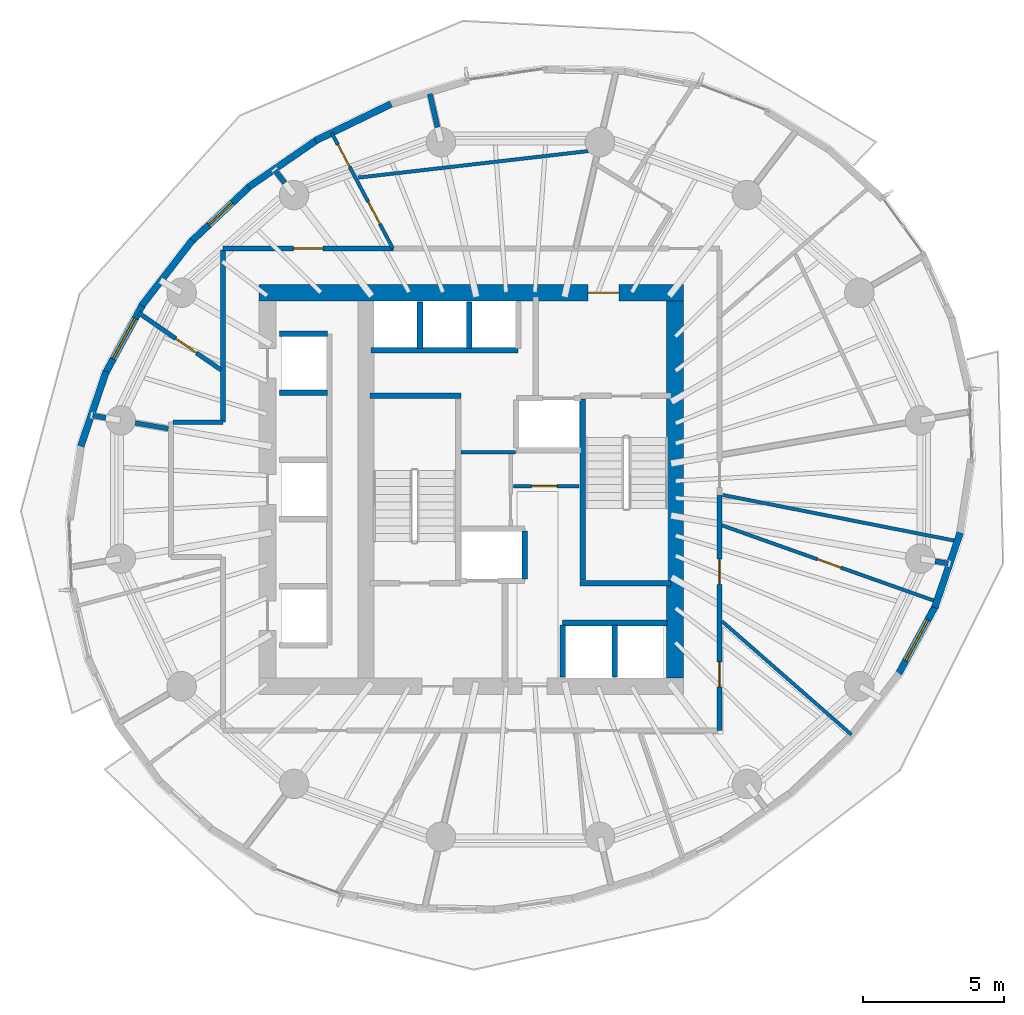
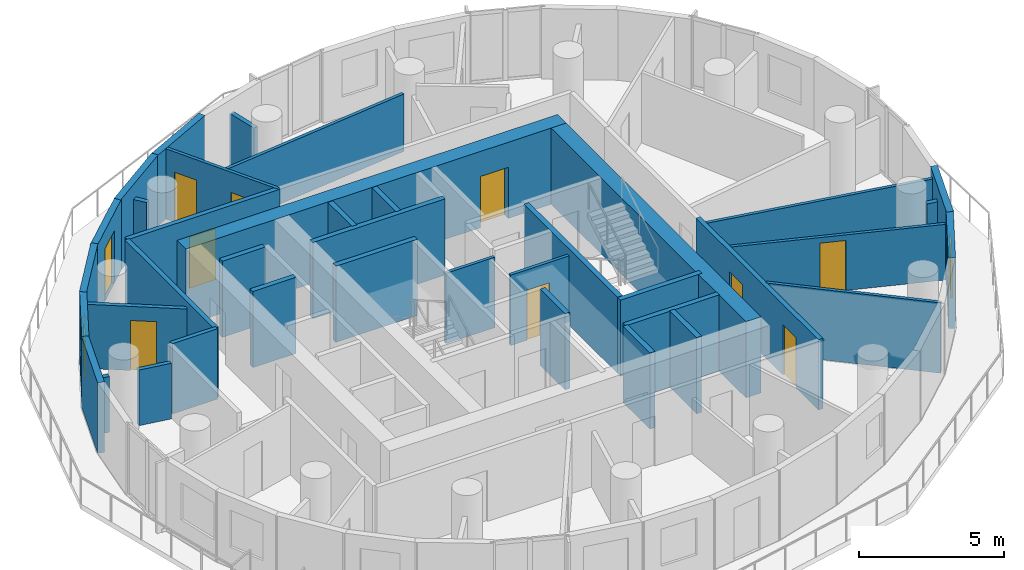
# One storey, part 7 of 14: 39 walls, 10 doors, 2 windows, 12 openings.
"""IFC4 building model written with IfcOpenShell, lengths in metres."""

from ifc_helpers import new_model, si_unit, direction, frame, frame_2d, origin, place, context, subcontext, project, spatial, rectangle, extrude, material, layer, layer_set, type_object, element, fill, save


model = new_model("IFC4")

# Units and contexts
model_context = context("Model", 3, precision=1e-05, world=origin(), true_north=direction((0.0, 1.0)))
body_context = subcontext(model_context, "Body", "Model", "MODEL_VIEW")
ifc_project = project(units=[si_unit("LENGTHUNIT", "METRE"), si_unit("AREAUNIT", "SQUARE_METRE"), si_unit("VOLUMEUNIT", "CUBIC_METRE"), si_unit("PLANEANGLEUNIT", "RADIAN"), si_unit("MASSUNIT", "GRAM", prefix="KILO")], contexts=[model_context])

# Site, building, storey
site_placement = place(None, origin())
site = spatial("IfcSite", under=ifc_project, at=site_placement, CompositionType="ELEMENT")
building_placement = place(site_placement, origin())
building = spatial("IfcBuilding", under=site, at=building_placement, Name="Veldorim Arch Residences", CompositionType="ELEMENT")
storey_placement = place(building_placement, frame((0.0, 0.0, 129.760009765625)))
storey = spatial("IfcBuildingStorey", under=building, at=storey_placement, Name="L38", CompositionType="ELEMENT", Elevation=129.760009765625)

# Wall, opening, door
ifc_material_1 = material(Name="Acoustic Gypsum Board", Category="gypsum")
ifc_layer_1 = layer(ifc_material_1, 0.125, Name="Acoustic Stud Room Partition Wall 125")
ifc_layer_set_1 = layer_set([ifc_layer_1], Name="Acoustic Gypsum Board")
wall_type_1 = type_object("IfcWallType", Name="Acoustic Stud Room Partition Wall 125", PredefinedType="PARTITIONING", material=ifc_layer_set_1)
wall_1_placement = place(storey_placement, frame((31.760009765625, 24.1201171875, 0.0), z_axis=(0.0, 0.0, 1.0), x_axis=(1.0, 0.0, 0.0)))
wall_1 = element("IfcWall", 1, at=wall_1_placement, inside=storey, type_object=wall_type_1, Name="L38 interior wall WL-CA-L38-2", PredefinedType="PARTITIONING", context=body_context, shape_type="SweptSolid", body=[
    extrude(rectangle(XDim=2.320068359375, YDim=0.125, at=frame_2d((1.16015625, 0.0))), origin(), (0.0, 0.0, 1.0), 2.955078125),
])
opening_1_placement = place(wall_1_placement, frame((0.639892578125, 0.0, 0.0)))
opening_1 = element("IfcOpeningElement", 2, at=opening_1_placement, cuts=wall_1, Name="Opening DR-SVC", PredefinedType="OPENING", context=body_context, shape_type="SweptSolid", body=[
    extrude(rectangle(XDim=0.89990234375, YDim=2.10009765625, at=frame_2d((0.449951171875, 1.050048828125))), frame((0.0, 0.072509765625, 0.0), z_axis=(0.0, -1.0, 0.0), x_axis=(1.0, 0.0, 0.0)), (0.0, 0.0, 1.0), 0.14501953125),
])
ifc_material_2 = material(Name="Fire-Rated Steel", Category="steel")
door_type_1 = type_object("IfcDoorType", Name="Riser, Shelter & Plant Room Rated Steel Door 900x2100", OperationType="SINGLE_SWING_LEFT", PredefinedType="DOOR", material=ifc_material_2)
door_1_placement = place(opening_1_placement, origin())
door_1 = element("IfcDoor", 3, at=door_1_placement, inside=storey, type_object=door_type_1, Name="L38 interior door DR-L38-CA2", OperationType="SINGLE_SWING_RIGHT", OverallHeight=2.10009765625, OverallWidth=0.89990234375, PredefinedType="DOOR", context=body_context, shape_type="SweptSolid", body=[
    extrude(rectangle(XDim=0.89990234375, YDim=2.10009765625, at=frame_2d((0.449951171875, 1.050048828125))), frame((0.0, 0.02490234375, 0.0), z_axis=(0.0, -1.0, 0.0), x_axis=(1.0, 0.0, 0.0)), (0.0, 0.0, 1.0), 0.050048828125),
])
fill(opening_1, door_1)

# Walls
wall_2_placement = place(storey_placement, frame((29.889892578125, 25.330078125, 0.0), z_axis=(0.0, 0.0, 1.0), x_axis=(1.0, 0.0, 0.0)))
element("IfcWall", 4, at=wall_2_placement, inside=storey, type_object=wall_type_1, Name="L38 interior wall WL-CA-L38-N", PredefinedType="PARTITIONING", context=body_context, shape_type="SweptSolid", body=[
    extrude(rectangle(XDim=1.940185546875, YDim=0.125, at=frame_2d((0.97021484375, 0.0))), origin(), (0.0, 0.0, 1.0), 2.955078125),
])
wall_3_placement = place(storey_placement, frame((43.77490234375, 15.27734375, 0.0), z_axis=(0.0, 0.0, 1.0), x_axis=(-0.752092313191, 0.659057776252, 0.0)))
element("IfcWall", 5, at=wall_3_placement, inside=storey, type_object=wall_type_1, Name="L38 interior wall WL-RES-L38-013", PredefinedType="PARTITIONING", context=body_context, shape_type="SweptSolid", body=[
    extrude(rectangle(XDim=6.122314453125, YDim=0.125, at=frame_2d((3.06103515625, 0.0))), origin(), (0.0, 0.0, 1.0), 2.955078125),
])

# Wall, opening, door
wall_4_placement = place(storey_placement, frame((39.17431640625, 22.723388671875, 0.0), z_axis=(0.0, 0.0, 1.0), x_axis=(0.942245152982, -0.334923978959, 0.0)))
wall_4 = element("IfcWall", 6, at=wall_4_placement, inside=storey, type_object=wall_type_1, Name="L38 interior wall WL-RES-L38-014", PredefinedType="PARTITIONING", context=body_context, shape_type="SweptSolid", body=[
    extrude(rectangle(XDim=8.09423828125, YDim=0.125, at=frame_2d((4.047119140625, 0.0))), origin(), (0.0, 0.0, 1.0), 2.335693359375),
])
opening_2_placement = place(wall_4_placement, frame((3.59716796875, 0.0, 0.0)))
opening_2 = element("IfcOpeningElement", 7, at=opening_2_placement, cuts=wall_4, Name="Opening DR-SVC", PredefinedType="OPENING", context=body_context, shape_type="SweptSolid", body=[
    extrude(rectangle(XDim=0.89990234375, YDim=2.10009765625, at=frame_2d((0.449951171875, 1.050048828125))), frame((0.0, 0.072509765625, 0.0), z_axis=(0.0, -1.0, 0.0), x_axis=(1.0, 0.0, 0.0)), (0.0, 0.0, 1.0), 0.14501953125),
])
door_2_placement = place(opening_2_placement, origin())
door_2 = element("IfcDoor", 8, at=door_2_placement, inside=storey, type_object=door_type_1, Name="L38 interior door DR-RES-L38-006", OperationType="SINGLE_SWING_RIGHT", OverallHeight=2.10009765625, OverallWidth=0.89990234375, PredefinedType="DOOR", context=body_context, shape_type="SweptSolid", body=[
    extrude(rectangle(XDim=0.89990234375, YDim=2.10009765625, at=frame_2d((0.449951171875, 1.050048828125))), frame((0.0, 0.02490234375, 0.0), z_axis=(0.0, -1.0, 0.0), x_axis=(1.0, 0.0, 0.0)), (0.0, 0.0, 1.0), 0.050048828125),
])
fill(opening_2, door_2)

# Wall
wall_5_placement = place(storey_placement, frame((47.53125, 22.163330078125, 0.0), z_axis=(0.0, 0.0, 1.0), x_axis=(-0.981139353497, 0.19330175638, 0.0)))
element("IfcWall", 9, at=wall_5_placement, inside=storey, type_object=wall_type_1, Name="L38 interior wall WL-RES-L38-018", PredefinedType="PARTITIONING", context=body_context, shape_type="SweptSolid", body=[
    extrude(rectangle(XDim=8.49365234375, YDim=0.125, at=frame_2d((4.246826171875, 0.0))), origin(), (0.0, 0.0, 1.0), 2.69189453125),
])

# Wall, openings, doors
wall_6_placement = place(storey_placement, frame((25.287353515625, 36.6796875, 0.0), z_axis=(0.0, 0.0, 1.0), x_axis=(0.467870793746, -0.88379687732, 0.0)))
wall_6 = element("IfcWall", 10, at=wall_6_placement, inside=storey, type_object=wall_type_1, Name="L38 interior wall WL-RES-L38-027", PredefinedType="PARTITIONING", context=body_context, shape_type="SweptSolid", body=[
    extrude(rectangle(XDim=4.638916015625, YDim=0.125, at=frame_2d((2.3193359375, 0.0))), origin(), (0.0, 0.0, 1.0), 2.955078125),
])
opening_3_placement = place(wall_6_placement, frame((0.462646484375, 0.0, 0.0)))
opening_3 = element("IfcOpeningElement", 11, at=opening_3_placement, cuts=wall_6, Name="Opening DR-INT", PredefinedType="OPENING", context=body_context, shape_type="SweptSolid", body=[
    extrude(rectangle(XDim=0.89990234375, YDim=2.10009765625, at=frame_2d((0.449951171875, 1.050048828125))), frame((0.0, 0.072509765625, 0.0), z_axis=(0.0, -1.0, 0.0), x_axis=(1.0, 0.0, 0.0)), (0.0, 0.0, 1.0), 0.14501953125),
])
opening_4_placement = place(wall_6_placement, frame((2.761474609375, 0.0, 0.0)))
opening_4 = element("IfcOpeningElement", 12, at=opening_4_placement, cuts=wall_6, Name="Opening DR-INT", PredefinedType="OPENING", context=body_context, shape_type="SweptSolid", body=[
    extrude(rectangle(XDim=0.89990234375, YDim=2.10009765625, at=frame_2d((0.449951171875, 1.050048828125))), frame((0.0, 0.072509765625, 0.0), z_axis=(0.0, -1.0, 0.0), x_axis=(1.0, 0.0, 0.0)), (0.0, 0.0, 1.0), 0.14501953125),
])
ifc_material_3 = material(Name="Engineered Timber", Category="wood")
door_type_2 = type_object("IfcDoorType", Name="Apartment Internal Room Timber Door 900x2100", OperationType="SINGLE_SWING_LEFT", PredefinedType="DOOR", material=ifc_material_3)
door_3_placement = place(opening_3_placement, origin())
door_3 = element("IfcDoor", 13, at=door_3_placement, inside=storey, type_object=door_type_2, Name="L38 interior door DR-RES-L38-014", OperationType="SINGLE_SWING_RIGHT", OverallHeight=2.10009765625, OverallWidth=0.89990234375, PredefinedType="DOOR", context=body_context, shape_type="SweptSolid", body=[
    extrude(rectangle(XDim=0.89990234375, YDim=2.10009765625, at=frame_2d((0.449951171875, 1.050048828125))), frame((0.0, 0.02490234375, 0.0), z_axis=(0.0, -1.0, 0.0), x_axis=(1.0, 0.0, 0.0)), (0.0, 0.0, 1.0), 0.050048828125),
])
fill(opening_3, door_3)
door_4_placement = place(opening_4_placement, origin())
door_4 = element("IfcDoor", 14, at=door_4_placement, inside=storey, type_object=door_type_2, Name="L38 interior door DR-RES-L38-015", OperationType="SINGLE_SWING_LEFT", OverallHeight=2.10009765625, OverallWidth=0.89990234375, PredefinedType="DOOR", context=body_context, shape_type="SweptSolid", body=[
    extrude(rectangle(XDim=0.89990234375, YDim=2.10009765625, at=frame_2d((0.449951171875, 1.050048828125))), frame((0.0, 0.02490234375, 0.0), z_axis=(0.0, -1.0, 0.0), x_axis=(1.0, 0.0, 0.0)), (0.0, 0.0, 1.0), 0.050048828125),
])
fill(opening_4, door_4)

# Walls
wall_7_placement = place(storey_placement, frame((34.405029296875, 36.041015625, 0.0), z_axis=(0.0, 0.0, 1.0), x_axis=(-0.993396455776, -0.114732217146, 0.0)))
element("IfcWall", 15, at=wall_7_placement, inside=storey, type_object=wall_type_1, Name="L38 interior wall WL-RES-L38-029", PredefinedType="PARTITIONING", context=body_context, shape_type="SweptSolid", body=[
    extrude(rectangle(XDim=8.228759765625, YDim=0.125, at=frame_2d((4.1142578125, 0.0))), origin(), (0.0, 0.0, 1.0), 2.411376953125),
])
ifc_material_4 = material(Name="Lightweight Masonry Block & Gypsum", Category="masonry")
ifc_layer_2 = layer(ifc_material_4, 0.179931640625, Name="Compartment & Corridor Fire-Rated Party Wall 180")
ifc_layer_set_2 = layer_set([ifc_layer_2], Name="Lightweight Masonry Block & Gypsum")
wall_type_2 = type_object("IfcWallType", Name="Compartment & Corridor Fire-Rated Party Wall 180", PredefinedType="PARTITIONING", material=ifc_layer_set_2)
wall_8_placement = place(storey_placement, frame((29.049560546875, 36.88916015625, 0.0), z_axis=(0.0, 0.0, 1.0), x_axis=(-0.223107064029, 0.974793946422, 0.0)))
element("IfcWall", 16, at=wall_8_placement, inside=storey, type_object=wall_type_2, Name="L38 interior wall WL-PIER-L38-05", PredefinedType="PARTITIONING", context=body_context, shape_type="SweptSolid", body=[
    extrude(rectangle(XDim=1.22119140625, YDim=0.179931640625, at=frame_2d((0.610595703125, 0.0))), origin(), (0.0, 0.0, 1.0), 2.335693359375),
])
wall_9_placement = place(storey_placement, frame((23.612060546875, 34.908447265625, 0.0), z_axis=(0.0, 0.0, 1.0), x_axis=(-0.609498830183, 0.792786967605, 0.0)))
element("IfcWall", 17, at=wall_9_placement, inside=storey, type_object=wall_type_2, Name="L38 interior wall WL-PIER-L38-06", PredefinedType="PARTITIONING", context=body_context, shape_type="SweptSolid", body=[
    extrude(rectangle(XDim=0.556884765625, YDim=0.179931640625, at=frame_2d((0.2783203125, 0.0))), origin(), (0.0, 0.0, 1.0), 2.335693359375),
])
for number, where, z_axis, x_axis, name in (
    (18, (17.24169921875, 26.55078125, 0.0), (0.0, 0.0, 1.0), (-0.985345448397, 0.170570651999, 0.0), "L38 interior wall WL-PIER-L38-08"),
    (19, (46.75830078125, 21.44921875, 0.0), (0.0, 0.0, 1.0), (0.985345448397, -0.170570651999, 0.0), "L38 interior wall WL-PIER-L38-16"),
):
    element("IfcWall", number, at=place(storey_placement, frame(where, z_axis=z_axis, x_axis=x_axis)), inside=storey, type_object=wall_type_2, Name=name, PredefinedType="PARTITIONING", context=body_context, shape_type="SweptSolid", body=[
        extrude(rectangle(XDim=0.468017578125, YDim=0.179931640625, at=frame_2d((0.23388671875, 0.0))), origin(), (0.0, 0.0, 1.0), 2.335693359375),
    ])

# Wall, openings, doors
wall_10_placement = place(storey_placement, frame((39.080078125, 23.848388671875, 0.0), z_axis=(0.0, 0.0, 1.0), x_axis=(0.0, -1.0, 0.0)))
wall_10 = element("IfcWall", 20, at=wall_10_placement, inside=storey, type_object=wall_type_2, Name="L38 interior wall WL-RES-L38-001", PredefinedType="PARTITIONING", context=body_context, shape_type="SweptSolid", body=[
    extrude(rectangle(XDim=8.428466796875, YDim=0.179931640625, at=frame_2d((4.21435546875, 0.0))), origin(), (0.0, 0.0, 1.0), 2.955078125),
])
opening_5_placement = place(wall_10_placement, frame((2.327392578125, 0.0, 0.0)))
opening_5 = element("IfcOpeningElement", 21, at=opening_5_placement, cuts=wall_10, Name="Opening DR-SVC", PredefinedType="OPENING", context=body_context, shape_type="SweptSolid", body=[
    extrude(rectangle(XDim=0.89990234375, YDim=2.10009765625, at=frame_2d((0.449951171875, 1.050048828125))), frame((0.0, 0.099853515625, 0.0), z_axis=(0.0, -1.0, 0.0), x_axis=(1.0, 0.0, 0.0)), (0.0, 0.0, 1.0), 0.199951171875),
])
opening_6_placement = place(wall_10_placement, frame((5.982666015625, 0.0, 0.0)))
opening_6 = element("IfcOpeningElement", 22, at=opening_6_placement, cuts=wall_10, Name="Opening DR-INT", PredefinedType="OPENING", context=body_context, shape_type="SweptSolid", body=[
    extrude(rectangle(XDim=0.89990234375, YDim=2.10009765625, at=frame_2d((0.449951171875, 1.050048828125))), frame((0.0, 0.099853515625, 0.0), z_axis=(0.0, -1.0, 0.0), x_axis=(1.0, 0.0, 0.0)), (0.0, 0.0, 1.0), 0.199951171875),
])
door_5_placement = place(opening_6_placement, origin())
door_5 = element("IfcDoor", 23, at=door_5_placement, inside=storey, type_object=door_type_2, Name="L38 interior door DR-RES-L38-002", OperationType="SINGLE_SWING_RIGHT", OverallHeight=2.10009765625, OverallWidth=0.89990234375, PredefinedType="DOOR", context=body_context, shape_type="SweptSolid", body=[
    extrude(rectangle(XDim=0.89990234375, YDim=2.10009765625, at=frame_2d((0.449951171875, 1.050048828125))), frame((0.0, 0.02490234375, 0.0), z_axis=(0.0, -1.0, 0.0), x_axis=(1.0, 0.0, 0.0)), (0.0, 0.0, 1.0), 0.050048828125),
])
fill(opening_6, door_5)
door_6_placement = place(opening_5_placement, origin())
door_6 = element("IfcDoor", 24, at=door_6_placement, inside=storey, type_object=door_type_1, Name="L38 interior door DR-RES-L38-001", OperationType="SINGLE_SWING_LEFT", OverallHeight=2.10009765625, OverallWidth=0.89990234375, PredefinedType="DOOR", context=body_context, shape_type="SweptSolid", body=[
    extrude(rectangle(XDim=0.89990234375, YDim=2.10009765625, at=frame_2d((0.449951171875, 1.050048828125))), frame((0.0, 0.02490234375, 0.0), z_axis=(0.0, -1.0, 0.0), x_axis=(1.0, 0.0, 0.0)), (0.0, 0.0, 1.0), 0.050048828125),
])
fill(opening_5, door_6)

# Wall, opening, door
wall_11_placement = place(storey_placement, frame((21.419921875, 32.580078125, 0.0), z_axis=(0.0, 0.0, 1.0), x_axis=(1.0, 0.0, 0.0)))
wall_11 = element("IfcWall", 25, at=wall_11_placement, inside=storey, type_object=wall_type_2, Name="L38 interior wall WL-RES-L38-006", PredefinedType="PARTITIONING", context=body_context, shape_type="SweptSolid", body=[
    extrude(rectangle(XDim=6.057861328125, YDim=0.179931640625, at=frame_2d((3.02880859375, 0.0))), origin(), (0.0, 0.0, 1.0), 2.955078125),
])
opening_7_placement = place(wall_11_placement, frame((2.50390625, 0.0, 0.0)))
opening_7 = element("IfcOpeningElement", 26, at=opening_7_placement, cuts=wall_11, Name="Opening DR-FLT", PredefinedType="OPENING", context=body_context, shape_type="SweptSolid", body=[
    extrude(rectangle(XDim=1.050048828125, YDim=2.14990234375, at=frame_2d((0.52490234375, 1.074951171875))), frame((0.0, 0.099853515625, 0.0), z_axis=(0.0, -1.0, 0.0), x_axis=(1.0, 0.0, 0.0)), (0.0, 0.0, 1.0), 0.199951171875),
])
ifc_material_5 = material(Name="Fire-Rated Timber", Category="wood")
door_type_3 = type_object("IfcDoorType", Name="Apartment Entrance Solid-Core Fire Door 1050x2150", OperationType="SINGLE_SWING_LEFT", PredefinedType="DOOR", material=ifc_material_5)
door_7_placement = place(opening_7_placement, origin())
door_7 = element("IfcDoor", 27, at=door_7_placement, inside=storey, type_object=door_type_3, Name="L38 interior door DR-RES-L38-012", OperationType="SINGLE_SWING_RIGHT", OverallHeight=2.14990234375, OverallWidth=1.050048828125, PredefinedType="DOOR", context=body_context, shape_type="SweptSolid", body=[
    extrude(rectangle(XDim=1.050048828125, YDim=2.14990234375, at=frame_2d((0.52490234375, 1.074951171875))), frame((0.0, 0.02490234375, 0.0), z_axis=(0.0, -1.0, 0.0), x_axis=(1.0, 0.0, 0.0)), (0.0, 0.0, 1.0), 0.050048828125),
])
fill(opening_7, door_7)

# Walls
wall_12_placement = place(storey_placement, frame((21.419921875, 26.39990234375, 0.0), z_axis=(0.0, 0.0, 1.0), x_axis=(0.0, 1.0, 0.0)))
element("IfcWall", 28, at=wall_12_placement, inside=storey, type_object=wall_type_2, Name="L38 interior wall WL-RES-L38-007", PredefinedType="PARTITIONING", context=body_context, shape_type="SweptSolid", body=[
    extrude(rectangle(XDim=6.1201171875, YDim=0.179931640625, at=frame_2d((3.06005859375, 0.0))), origin(), (0.0, 0.0, 1.0), 2.955078125),
])
ifc_material_6 = material(Name="Concrete C50/60", Category="concrete")
ifc_layer_3 = layer(ifc_material_6, 0.199951171875, Name="Core Stair & Lift Shaft Enclosure Wall 200")
ifc_layer_set_3 = layer_set([ifc_layer_3], Name="Concrete C50/60")
wall_type_3 = type_object("IfcWallType", Name="Core Stair & Lift Shaft Enclosure Wall 200", PredefinedType="SHEAR", material=ifc_layer_set_3)
wall_13_placement = place(storey_placement, frame((26.64990234375, 27.330078125, 0.0), z_axis=(0.0, 0.0, 1.0), x_axis=(1.0, 0.0, 0.0)))
element("IfcWall", 29, at=wall_13_placement, inside=storey, type_object=wall_type_3, Name="L38 shaft wall WL-SHF-L38-ST1-N", PredefinedType="SHEAR", context=body_context, shape_type="SweptSolid", body=[
    extrude(rectangle(XDim=3.239990234375, YDim=0.199951171875, at=frame_2d((1.6201171875, 0.0))), origin(), (0.0, 0.0, 1.0), 3.199951171875),
])
wall_14_placement = place(storey_placement, frame((34.2099609375, 20.780029296875, 0.0), z_axis=(0.0, 0.0, 1.0), x_axis=(0.0, 1.0, 0.0)))
element("IfcWall", 30, at=wall_14_placement, inside=storey, type_object=wall_type_3, Name="L38 shaft wall WL-SHF-L38-ST2-W", PredefinedType="SHEAR", context=body_context, shape_type="SweptSolid", body=[
    extrude(rectangle(XDim=6.43994140625, YDim=0.199951171875, at=frame_2d((3.219970703125, 0.0))), origin(), (0.0, 0.0, 1.0), 3.199951171875),
])
wall_15_placement = place(storey_placement, frame((34.110107421875, 20.669921875, 0.0), z_axis=(0.0, 0.0, 1.0), x_axis=(1.0, 0.0, 0.0)))
element("IfcWall", 31, at=wall_15_placement, inside=storey, type_object=wall_type_3, Name="L38 shaft wall WL-SHF-L38-ST2-S", PredefinedType="SHEAR", context=body_context, shape_type="SweptSolid", body=[
    extrude(rectangle(XDim=3.239990234375, YDim=0.199951171875, at=frame_2d((1.6201171875, 0.0))), origin(), (0.0, 0.0, 1.0), 3.199951171875),
])
for number, where, z_axis, x_axis, name in (
    (32, (32.14990234375, 20.820068359375, 0.0), (0.0, 0.0, 1.0), (0.0, 1.0, 0.0), "L38 shaft wall WL-FL01-L38-E"),
    (33, (23.419921875, 29.5400390625, 0.0), (0.0, 0.0, 1.0), (1.0, 0.0, 0.0), "L38 shaft wall WL-B2-L38-N"),
    (34, (23.419921875, 27.43994140625, 0.0), (0.0, 0.0, 1.0), (1.0, 0.0, 0.0), "L38 shaft wall WL-B2-L38-D2B"),
):
    element("IfcWall", number, at=place(storey_placement, frame(where, z_axis=z_axis, x_axis=x_axis)), inside=storey, type_object=wall_type_3, Name=name, PredefinedType="SHEAR", context=body_context, shape_type="SweptSolid", body=[
        extrude(rectangle(XDim=1.7099609375, YDim=0.199951171875, at=frame_2d((0.85498046875, 0.0))), origin(), (0.0, 0.0, 1.0), 3.199951171875),
    ])
wall_16_placement = place(storey_placement, frame((26.679931640625, 28.949951171875, 0.0), z_axis=(0.0, 0.0, 1.0), x_axis=(1.0, 0.0, 0.0)))
element("IfcWall", 35, at=wall_16_placement, inside=storey, type_object=wall_type_3, Name="L38 shaft wall WL-B3-L38-S", PredefinedType="SHEAR", context=body_context, shape_type="SweptSolid", body=[
    extrude(rectangle(XDim=5.239990234375, YDim=0.199951171875, at=frame_2d((2.6201171875, 0.0))), origin(), (0.0, 0.0, 1.0), 3.199951171875),
])
for number, where, z_axis, x_axis, name in (
    (36, (28.425048828125, 29.02001953125, 0.0), (0.0, 0.0, 1.0), (0.0, 1.0, 0.0), "L38 shaft wall WL-B3-L38-D1"),
    (37, (30.175048828125, 29.02001953125, 0.0), (0.0, 0.0, 1.0), (0.0, 1.0, 0.0), "L38 shaft wall WL-B3-L38-D2"),
):
    element("IfcWall", number, at=place(storey_placement, frame(where, z_axis=z_axis, x_axis=x_axis)), inside=storey, type_object=wall_type_3, Name=name, PredefinedType="SHEAR", context=body_context, shape_type="SweptSolid", body=[
        extrude(rectangle(XDim=1.659912109375, YDim=0.199951171875, at=frame_2d((0.830078125, 0.0))), origin(), (0.0, 0.0, 1.0), 3.199951171875),
    ])
wall_17_placement = place(storey_placement, frame((33.5, 19.25, 0.0), z_axis=(0.0, 0.0, 1.0), x_axis=(1.0, 0.0, 0.0)))
element("IfcWall", 38, at=wall_17_placement, inside=storey, type_object=wall_type_3, Name="L38 shaft wall WL-OL-L38-N", PredefinedType="SHEAR", context=body_context, shape_type="SweptSolid", body=[
    extrude(rectangle(XDim=3.719970703125, YDim=0.199951171875, at=frame_2d((1.85986328125, 0.0))), origin(), (0.0, 0.0, 1.0), 3.199951171875),
])
for number, where, z_axis, x_axis, name in (
    (39, (33.5, 17.320068359375, 0.0), (0.0, 0.0, 1.0), (0.0, 1.0, 0.0), "L38 shaft wall WL-OL-L38-W"),
    (40, (35.35009765625, 17.320068359375, 0.0), (0.0, 0.0, 1.0), (0.0, 1.0, 0.0), "L38 shaft wall WL-OL-L38-D1"),
):
    element("IfcWall", number, at=place(storey_placement, frame(where, z_axis=z_axis, x_axis=x_axis)), inside=storey, type_object=wall_type_3, Name=name, PredefinedType="SHEAR", context=body_context, shape_type="SweptSolid", body=[
        extrude(rectangle(XDim=1.85986328125, YDim=0.199951171875, at=frame_2d((0.929931640625, 0.0))), origin(), (0.0, 0.0, 1.0), 3.199951171875),
    ])

# Wall, opening, door
ifc_material_7 = material(Name="Concrete C50/60", Category="concrete")
ifc_layer_4 = layer(ifc_material_7, 0.60009765625, Name="Mid-Upper Central Core Shear Wall 600")
ifc_layer_set_4 = layer_set([ifc_layer_4], Name="Concrete C50/60")
wall_type_4 = type_object("IfcWallType", Name="Mid-Upper Central Core Shear Wall 600", PredefinedType="SHEAR", material=ifc_layer_set_4)
wall_18_placement = place(storey_placement, frame((22.699951171875, 31.0, 0.0), z_axis=(0.0, 0.0, 1.0), x_axis=(1.0, 0.0, 0.0)))
wall_18 = element("IfcWall", 41, at=wall_18_placement, inside=storey, type_object=wall_type_4, Name="L38 central core north shear wall", PredefinedType="SHEAR", context=body_context, shape_type="SweptSolid", body=[
    extrude(rectangle(XDim=15.10009765625, YDim=0.60009765625, at=frame_2d((7.550048828125, 0.0))), origin(), (0.0, 0.0, 1.0), 3.199951171875),
])
opening_8_placement = place(wall_18_placement, frame((11.699951171875, 0.0, 0.0)))
opening_8 = element("IfcOpeningElement", 42, at=opening_8_placement, cuts=wall_18, Name="Opening DR-FFL", PredefinedType="OPENING", context=body_context, shape_type="SweptSolid", body=[
    extrude(rectangle(XDim=1.10009765625, YDim=2.14990234375, at=frame_2d((0.550048828125, 1.074951171875))), frame((0.0, 0.31005859375, 0.0), z_axis=(0.0, -1.0, 0.0), x_axis=(1.0, 0.0, 0.0)), (0.0, 0.0, 1.0), 0.6201171875),
])
ifc_material_8 = material(Name="Fire-Rated Steel & Vision Glass", Category="steel")
door_type_4 = type_object("IfcDoorType", Name="Firefighting Lobby Smoke-Stop Fire Door 1100x2150", OperationType="SINGLE_SWING_LEFT", PredefinedType="DOOR", material=ifc_material_8)
door_8_placement = place(opening_8_placement, origin())
door_8 = element("IfcDoor", 43, at=door_8_placement, inside=storey, type_object=door_type_4, Name="L38 interior door DR-L38-FFL2", OperationType="SINGLE_SWING_LEFT", OverallHeight=2.14990234375, OverallWidth=1.10009765625, PredefinedType="DOOR", context=body_context, shape_type="SweptSolid", body=[
    extrude(rectangle(XDim=1.10009765625, YDim=2.14990234375, at=frame_2d((0.550048828125, 1.074951171875))), frame((0.0, 0.02490234375, 0.0), z_axis=(0.0, -1.0, 0.0), x_axis=(1.0, 0.0, 0.0)), (0.0, 0.0, 1.0), 0.050048828125),
])
fill(opening_8, door_8)

# Walls
wall_19_placement = place(storey_placement, frame((37.5, 17.300048828125, 0.0), z_axis=(0.0, 0.0, 1.0), x_axis=(0.0, 1.0, 0.0)))
element("IfcWall", 44, at=wall_19_placement, inside=storey, type_object=wall_type_4, Name="L38 central core east shear wall", PredefinedType="SHEAR", context=body_context, shape_type="SweptSolid", body=[
    extrude(rectangle(XDim=13.39990234375, YDim=0.60009765625, at=frame_2d((6.699951171875, 0.0))), origin(), (0.0, 0.0, 1.0), 3.199951171875),
])
ifc_material_9 = material(Name="Precast concrete C40/50", Category="concrete")
ifc_layer_5 = layer(ifc_material_9, 0.25, Name="Tower Terracotta Spandrel & Pier Wall 250")
ifc_layer_set_5 = layer_set([ifc_layer_5], Name="Precast concrete C40/50")
wall_type_5 = type_object("IfcWallType", Name="Tower Terracotta Spandrel & Pier Wall 250", PredefinedType="SOLIDWALL", material=ifc_layer_set_5)
for number, where, z_axis, x_axis, name in (
    (45, (24.701416015625, 36.412109375, 0.0), (0.0, 0.0, 1.0), (0.899657133161, 0.436597117206, 0.0), "L38 terracotta facade wall 09"),
    (46, (22.3271484375, 34.7646484375, 0.0), (0.0, 0.0, 1.0), (0.823228532994, 0.567710121863, 0.0), "L38 terracotta facade wall 10"),
):
    element("IfcWall", number, at=place(storey_placement, frame(where, z_axis=z_axis, x_axis=x_axis)), inside=storey, type_object=wall_type_5, Name=name, PredefinedType="SOLIDWALL", context=body_context, shape_type="SweptSolid", body=[
        extrude(rectangle(XDim=2.998291015625, YDim=0.25, at=frame_2d((1.4990234375, 0.0))), origin(), (0.0, 0.0, 1.0), 2.9599609375),
    ])

# Wall, opening, door
wall_20_placement = place(storey_placement, frame((20.2470703125, 32.789306640625, 0.0), z_axis=(0.0, 0.0, 1.0), x_axis=(0.727113217486, 0.686517566386, 0.0)))
wall_20 = element("IfcWall", 47, at=wall_20_placement, inside=storey, type_object=wall_type_5, Name="L38 terracotta facade wall 11", PredefinedType="SOLIDWALL", context=body_context, shape_type="SweptSolid", body=[
    extrude(rectangle(XDim=2.976806640625, YDim=0.25, at=frame_2d((1.48828125, 0.0))), origin(), (0.0, 0.0, 1.0), 2.9599609375),
])
opening_9_placement = place(wall_20_placement, frame((0.9140625, 0.0, 0.0)))
opening_9 = element("IfcOpeningElement", 48, at=opening_9_placement, cuts=wall_20, Name="Opening BL-DR", PredefinedType="OPENING", context=body_context, shape_type="SweptSolid", body=[
    extrude(rectangle(XDim=1.14990234375, YDim=2.199951171875, at=frame_2d((0.574951171875, 1.10009765625))), frame((0.0, 0.135009765625, 0.0), z_axis=(0.0, -1.0, 0.0), x_axis=(1.0, 0.0, 0.0)), (0.0, 0.0, 1.0), 0.27001953125),
])
ifc_material_10 = material(Name="Aluminium & Low-E Glass", Category="aluminium")
door_type_5 = type_object("IfcDoorType", Name="Glazed Planted Balcony Door 1150x2200", OperationType="SINGLE_SWING_LEFT", PredefinedType="DOOR", material=ifc_material_10)
door_9_placement = place(opening_9_placement, origin())
door_9 = element("IfcDoor", 49, at=door_9_placement, inside=storey, type_object=door_type_5, Name="L38 glazed outdoor terrace door BALC-1", OperationType="SINGLE_SWING_LEFT", OverallHeight=2.199951171875, OverallWidth=1.14990234375, PredefinedType="DOOR", context=body_context, shape_type="SweptSolid", body=[
    extrude(rectangle(XDim=1.14990234375, YDim=2.199951171875, at=frame_2d((0.574951171875, 1.10009765625))), frame((0.0, 0.02490234375, 0.0), z_axis=(0.0, -1.0, 0.0), x_axis=(1.0, 0.0, 0.0)), (0.0, 0.0, 1.0), 0.050048828125),
])
fill(opening_9, door_9)

# Wall
wall_21_placement = place(storey_placement, frame((18.524658203125, 30.54638671875, 0.0), z_axis=(0.0, 0.0, 1.0), x_axis=(0.611416743811, 0.791308767415, 0.0)))
element("IfcWall", 50, at=wall_21_placement, inside=storey, type_object=wall_type_5, Name="L38 terracotta facade wall 12", PredefinedType="SOLIDWALL", context=body_context, shape_type="SweptSolid", body=[
    extrude(rectangle(XDim=2.936767578125, YDim=0.25, at=frame_2d((1.46826171875, 0.0))), origin(), (0.0, 0.0, 1.0), 2.9599609375),
])

# Wall, opening, window
wall_22_placement = place(storey_placement, frame((17.212890625, 28.10400390625, 0.0), z_axis=(0.0, 0.0, 1.0), x_axis=(0.476018404115, 0.879435318226, 0.0)))
wall_22 = element("IfcWall", 51, at=wall_22_placement, inside=storey, type_object=wall_type_5, Name="L38 terracotta facade wall 13", PredefinedType="SOLIDWALL", context=body_context, shape_type="SweptSolid", body=[
    extrude(rectangle(XDim=2.8818359375, YDim=0.25, at=frame_2d((1.44091796875, 0.0))), origin(), (0.0, 0.0, 1.0), 2.9599609375),
])
opening_10_placement = place(wall_22_placement, frame((0.615966796875, 0.0, 0.85009765625)))
opening_10 = element("IfcOpeningElement", 52, at=opening_10_placement, cuts=wall_22, Name="Opening WN-03", PredefinedType="OPENING", context=body_context, shape_type="SweptSolid", body=[
    extrude(rectangle(XDim=1.64990234375, YDim=1.550048828125, at=frame_2d((0.824951171875, 0.77490234375))), frame((0.0, 0.135009765625, 0.0), z_axis=(0.0, -1.0, 0.0), x_axis=(1.0, 0.0, 0.0)), (0.0, 0.0, 1.0), 0.27001953125),
])
ifc_material_11 = material(Name="Laminated Low-E Glass", Category="glass")
window_type = type_object("IfcWindowType", Name="Residential Wide Window 1650x1550", PartitioningType="SINGLE_PANEL", PredefinedType="WINDOW", material=ifc_material_11)
window_1_placement = place(opening_10_placement, origin())
window_1 = element("IfcWindow", 53, at=window_1_placement, inside=storey, type_object=window_type, Name="L38 solar-control facade window 13", OverallHeight=1.550048828125, OverallWidth=1.64990234375, PartitioningType="SINGLE_PANEL", PredefinedType="WINDOW", context=body_context, shape_type="SweptSolid", body=[
    extrude(rectangle(XDim=1.64990234375, YDim=1.550048828125, at=frame_2d((0.824951171875, 0.77490234375))), frame((0.0, 0.030029296875, 0.0), z_axis=(0.0, -1.0, 0.0), x_axis=(1.0, 0.0, 0.0)), (0.0, 0.0, 1.0), 0.06005859375),
])
fill(opening_10, window_1)

# Wall
wall_23_placement = place(storey_placement, frame((16.351318359375, 25.53759765625, 0.0), z_axis=(0.0, 0.0, 1.0), x_axis=(0.321473951892, 0.946918422175, 0.0)))
element("IfcWall", 54, at=wall_23_placement, inside=storey, type_object=wall_type_5, Name="L38 terracotta facade wall 14", PredefinedType="SOLIDWALL", context=body_context, shape_type="SweptSolid", body=[
    extrude(rectangle(XDim=2.817626953125, YDim=0.25, at=frame_2d((1.40869140625, 0.0))), origin(), (0.0, 0.0, 1.0), 2.9599609375),
])

# Wall, opening, window
wall_24_placement = place(storey_placement, frame((46.787109375, 19.89599609375, 0.0), z_axis=(0.0, 0.0, 1.0), x_axis=(-0.476018404115, -0.879435318226, 0.0)))
wall_24 = element("IfcWall", 55, at=wall_24_placement, inside=storey, type_object=wall_type_5, Name="L38 terracotta facade wall 31", PredefinedType="SOLIDWALL", context=body_context, shape_type="SweptSolid", body=[
    extrude(rectangle(XDim=2.8818359375, YDim=0.25, at=frame_2d((1.44091796875, 0.0))), origin(), (0.0, 0.0, 1.0), 2.9599609375),
])
opening_11_placement = place(wall_24_placement, frame((0.615966796875, 0.0, 0.85009765625)))
opening_11 = element("IfcOpeningElement", 56, at=opening_11_placement, cuts=wall_24, Name="Opening WN-03", PredefinedType="OPENING", context=body_context, shape_type="SweptSolid", body=[
    extrude(rectangle(XDim=1.64990234375, YDim=1.550048828125, at=frame_2d((0.824951171875, 0.77490234375))), frame((0.0, 0.135009765625, 0.0), z_axis=(0.0, -1.0, 0.0), x_axis=(1.0, 0.0, 0.0)), (0.0, 0.0, 1.0), 0.27001953125),
])
window_2_placement = place(opening_11_placement, origin())
window_2 = element("IfcWindow", 57, at=window_2_placement, inside=storey, type_object=window_type, Name="L38 solar-control facade window 31", OverallHeight=1.550048828125, OverallWidth=1.64990234375, PartitioningType="SINGLE_PANEL", PredefinedType="WINDOW", context=body_context, shape_type="SweptSolid", body=[
    extrude(rectangle(XDim=1.64990234375, YDim=1.550048828125, at=frame_2d((0.824951171875, 0.77490234375))), frame((0.0, 0.030029296875, 0.0), z_axis=(0.0, -1.0, 0.0), x_axis=(1.0, 0.0, 0.0)), (0.0, 0.0, 1.0), 0.06005859375),
])
fill(opening_11, window_2)

# Walls
wall_25_placement = place(storey_placement, frame((47.648681640625, 22.46240234375, 0.0), z_axis=(0.0, 0.0, 1.0), x_axis=(-0.321473951892, -0.946918422175, 0.0)))
element("IfcWall", 58, at=wall_25_placement, inside=storey, type_object=wall_type_5, Name="L38 terracotta facade wall 32", PredefinedType="SOLIDWALL", context=body_context, shape_type="SweptSolid", body=[
    extrude(rectangle(XDim=2.817626953125, YDim=0.25, at=frame_2d((1.40869140625, 0.0))), origin(), (0.0, 0.0, 1.0), 2.9599609375),
])
ifc_material_12 = material(Name="Moisture-Resistant Gypsum & Stud", Category="gypsum")
ifc_layer_6 = layer(ifc_material_12, 0.159912109375, Name="Wet-Area Moisture-Resistant Plumbing Wall 160")
ifc_layer_set_6 = layer_set([ifc_layer_6], Name="Moisture-Resistant Gypsum & Stud")
wall_type_6 = type_object("IfcWallType", Name="Wet-Area Moisture-Resistant Plumbing Wall 160", PredefinedType="PLUMBINGWALL", material=ifc_layer_set_6)
wall_26_placement = place(storey_placement, frame((19.6298828125, 26.39990234375, 0.0), z_axis=(0.0, 0.0, 1.0), x_axis=(1.0, 0.0, 0.0)))
element("IfcWall", 59, at=wall_26_placement, inside=storey, type_object=wall_type_6, Name="L38 interior wall WL-RES-L38-009", PredefinedType="PLUMBINGWALL", context=body_context, shape_type="SweptSolid", body=[
    extrude(rectangle(XDim=1.7900390625, YDim=0.159912109375, at=frame_2d((0.89501953125, 0.0))), origin(), (0.0, 0.0, 1.0), 2.955078125),
])

# Wall, opening, door
wall_27_placement = place(storey_placement, frame((21.337890625, 28.260498046875, 0.0), z_axis=(0.0, 0.0, 1.0), x_axis=(-0.822095882312, 0.569349067168, 0.0)))
wall_27 = element("IfcWall", 60, at=wall_27_placement, inside=storey, type_object=wall_type_6, Name="L38 interior wall WL-RES-L38-026", PredefinedType="PLUMBINGWALL", context=body_context, shape_type="SweptSolid", body=[
    extrude(rectangle(XDim=3.5595703125, YDim=0.159912109375, at=frame_2d((1.77978515625, 0.0))), origin(), (0.0, 0.0, 1.0), 2.69189453125),
])
opening_12_placement = place(wall_27_placement, frame((1.0498046875, 0.0, 0.0)))
opening_12 = element("IfcOpeningElement", 61, at=opening_12_placement, cuts=wall_27, Name="Opening DR-WC", PredefinedType="OPENING", context=body_context, shape_type="SweptSolid", body=[
    extrude(rectangle(XDim=0.89990234375, YDim=2.10009765625, at=frame_2d((0.449951171875, 1.050048828125))), frame((0.0, 0.08984375, 0.0), z_axis=(0.0, -1.0, 0.0), x_axis=(1.0, 0.0, 0.0)), (0.0, 0.0, 1.0), 0.179931640625),
])
ifc_material_13 = material(Name="Laminate Timber", Category="wood")
door_type_6 = type_object("IfcDoorType", Name="Bathroom & Accessible WC Moisture-Sealed Door 900x2100", OperationType="SINGLE_SWING_LEFT", PredefinedType="DOOR", material=ifc_material_13)
door_10_placement = place(opening_12_placement, origin())
door_10 = element("IfcDoor", 62, at=door_10_placement, inside=storey, type_object=door_type_6, Name="L38 interior door DR-RES-L38-013", OperationType="SINGLE_SWING_LEFT", OverallHeight=2.10009765625, OverallWidth=0.89990234375, PredefinedType="DOOR", context=body_context, shape_type="SweptSolid", body=[
    extrude(rectangle(XDim=0.89990234375, YDim=2.10009765625, at=frame_2d((0.449951171875, 1.050048828125))), frame((0.0, 0.02490234375, 0.0), z_axis=(0.0, -1.0, 0.0), x_axis=(1.0, 0.0, 0.0)), (0.0, 0.0, 1.0), 0.050048828125),
])
fill(opening_12, door_10)

# Wall
wall_28_placement = place(storey_placement, frame((19.471435546875, 26.16552734375, 0.0), z_axis=(0.0, 0.0, 1.0), x_axis=(-0.985385550807, 0.170338827815, 0.0)))
element("IfcWall", 63, at=wall_28_placement, inside=storey, type_object=wall_type_6, Name="L38 interior wall WL-RES-L38-028", PredefinedType="PLUMBINGWALL", context=body_context, shape_type="SweptSolid", body=[
    extrude(rectangle(XDim=1.1923828125, YDim=0.159912109375, at=frame_2d((0.59619140625, 0.0))), origin(), (0.0, 0.0, 1.0), 2.335693359375),
])

save(model, "model.ifc")
